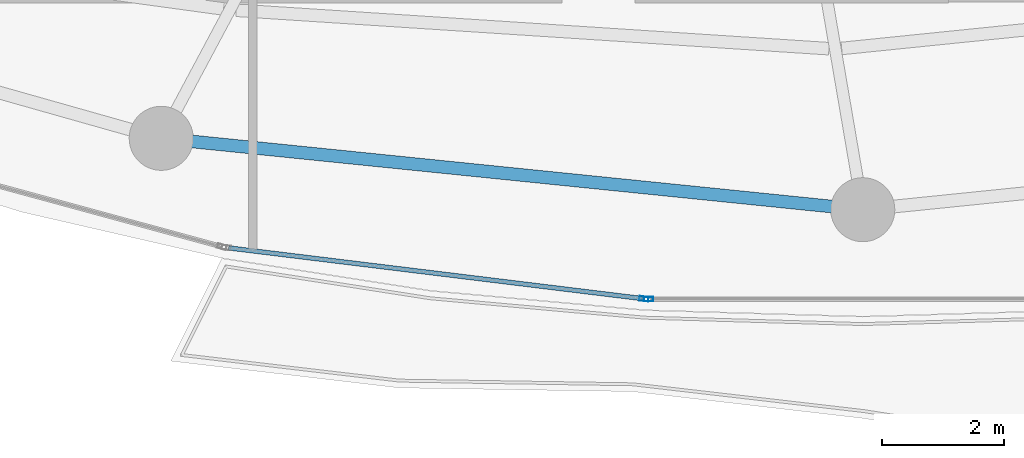
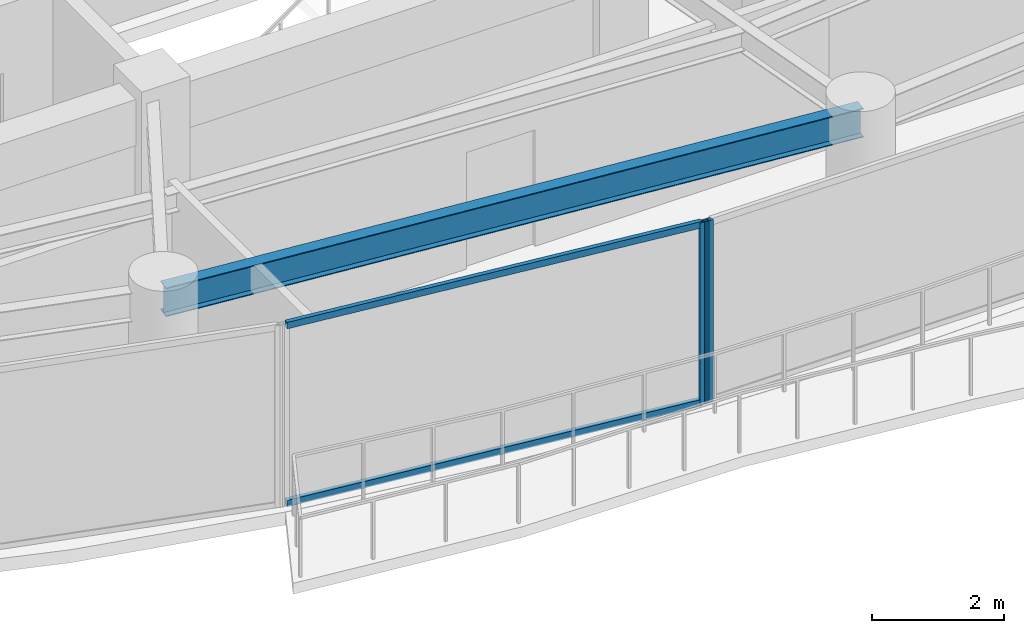
# One storey, part 6 of 31: 4 members, 1 beam, 2 elements without a shape of their own.
"""IFC4 building model written with IfcOpenShell, lengths in metres."""

from ifc_helpers import new_model, si_unit, direction, frame, origin, origin_2d, place, context, subcontext, project, spatial, hollow_rectangle, i_section, extrude, material, layer, layer_set, material_profile, profile_set, type_object, element, aggregate, save


model = new_model("IFC4")

# Units and contexts
model_context = context("Model", 3, precision=1e-05, world=origin(), true_north=direction((0.0, 1.0)))
body_context = subcontext(model_context, "Body", "Model", "MODEL_VIEW")
ifc_project = project(units=[si_unit("LENGTHUNIT", "METRE"), si_unit("AREAUNIT", "SQUARE_METRE"), si_unit("VOLUMEUNIT", "CUBIC_METRE"), si_unit("PLANEANGLEUNIT", "RADIAN"), si_unit("MASSUNIT", "GRAM", prefix="KILO")], contexts=[model_context])

# Site, building, storey
site_placement = place(None, origin())
site = spatial("IfcSite", under=ifc_project, at=site_placement, CompositionType="ELEMENT")
building_placement = place(site_placement, origin())
building = spatial("IfcBuilding", under=site, at=building_placement, Name="Kazevale Care Tower and Concert Hall", CompositionType="ELEMENT")
storey_placement = place(building_placement, frame((0.0, 0.0, 217.199951171875)))
storey = spatial("IfcBuildingStorey", under=building, at=storey_placement, Name="L57", CompositionType="ELEMENT", Elevation=217.199951171875)

# Curtain wall, member
ifc_material_1 = material(Name="Aluminium 6063-T6 and Low-E Glass", Category="aluminium")
ifc_layer = layer(ifc_material_1, 0.179931640625)
ifc_layer_set = layer_set([ifc_layer], Name="Aluminium 6063-T6 and Low-E Glass")
curtain_wall_type = type_object("IfcCurtainWallType", Name="Sheltered Concave Balcony Curtain Wall CW-5", PredefinedType="NOTDEFINED", material=ifc_layer_set)
curtain_wall_1_placement = place(storey_placement, origin())
curtain_wall_1 = element("IfcCurtainWall", 1, at=curtain_wall_1_placement, inside=storey, type_object=curtain_wall_type, Name="cw:L57:f06", PredefinedType="NOTDEFINED")
ifc_material_2 = material(Name="Aluminium 6063-T6", Category="aluminium")
ifc_material_profile_1 = material_profile(ifc_material_2, hollow_rectangle(XDim=0.074951171875, YDim=0.14990234375, WallThickness=0.00390625, at=origin_2d()), Name="ALU75x150x4")
ifc_profile_set_1 = profile_set([ifc_material_profile_1], Name="Aluminium 6063-T6")
member_type_1 = type_object("IfcMemberType", Name="CW-5 Mullion ALU75x150x4", PredefinedType="MULLION", material=ifc_profile_set_1)
member_1_placement = place(storey_placement, frame((41.487548828125, 16.284912109375, 0.0), z_axis=(0.0, 0.0, 1.0), x_axis=(0.0, -1.0, 0.0)))
member_1 = element("IfcMember", 2, at=member_1_placement, type_object=member_type_1, Name="CW-5 mullion 2", PredefinedType="MULLION", context=body_context, shape_type="SweptSolid", body=[
    extrude(hollow_rectangle(XDim=0.074951171875, YDim=0.14990234375, WallThickness=0.00390625, at=origin_2d()), origin(), (0.0, 0.0, 1.0), 3.360107421875),
])
aggregate(curtain_wall_1, [member_1])

# Curtain wall, members
curtain_wall_2_placement = place(storey_placement, origin())
curtain_wall_2 = element("IfcCurtainWall", 3, at=curtain_wall_2_placement, inside=storey, type_object=curtain_wall_type, Name="cw:L57:f07", PredefinedType="NOTDEFINED")
member_2_placement = place(storey_placement, frame((41.412841796875, 16.28955078125, 0.0), z_axis=(0.0, 0.0, 1.0), x_axis=(-0.121650797964, -0.992572961225, 0.0)))
member_2 = element("IfcMember", 4, at=member_2_placement, type_object=member_type_1, Name="CW-5 mullion 1", PredefinedType="MULLION", context=body_context, shape_type="SweptSolid", body=[
    extrude(hollow_rectangle(XDim=0.074951171875, YDim=0.14990234375, WallThickness=0.00390625, at=origin_2d()), origin(), (0.0, 0.0, 1.0), 3.360107421875),
])
ifc_material_profile_2 = material_profile(ifc_material_2, hollow_rectangle(XDim=0.074951171875, YDim=0.1201171875, WallThickness=0.00390625, at=origin_2d()), Name="ALU75x120x4")
ifc_profile_set_2 = profile_set([ifc_material_profile_2], Name="Aluminium 6063-T6")
member_type_2 = type_object("IfcMemberType", Name="CW-5 Transom ALU75x120x4", PredefinedType="USERDEFINED", material=ifc_profile_set_2)
member_3_placement = place(storey_placement, frame((41.37548828125, 16.294189453125, 0.03759765625), z_axis=(-0.992575633306, 0.121628993941, 0.0), x_axis=(-0.121628993941, -0.992575633306, 0.0)))
member_3 = element("IfcMember", 5, at=member_3_placement, type_object=member_type_2, Name="CW-5 transom 1.1", ObjectType="TRANSOM", PredefinedType="USERDEFINED", context=body_context, shape_type="SweptSolid", body=[
    extrude(hollow_rectangle(XDim=0.074951171875, YDim=0.1201171875, WallThickness=0.00390625, at=origin_2d()), origin(), (0.0, 0.0, 1.0), 6.820556640625),
])
member_4_placement = place(storey_placement, frame((41.37548828125, 16.294189453125, 3.322509765625), z_axis=(-0.992575633306, 0.121628993941, 0.0), x_axis=(-0.121628993941, -0.992575633306, 0.0)))
member_4 = element("IfcMember", 6, at=member_4_placement, type_object=member_type_2, Name="CW-5 transom 1.2", ObjectType="TRANSOM", PredefinedType="USERDEFINED", context=body_context, shape_type="SweptSolid", body=[
    extrude(hollow_rectangle(XDim=0.074951171875, YDim=0.1201171875, WallThickness=0.00390625, at=origin_2d()), origin(), (0.0, 0.0, 1.0), 6.820556640625),
])
aggregate(curtain_wall_2, [member_2, member_3, member_4])

# Beam
ifc_material_3 = material(Name="Steel ASTM A572 Gr 50", Category="steel")
ifc_material_profile_3 = material_profile(ifc_material_3, i_section(OverallWidth=0.208984375, OverallDepth=0.532958984375, WebThickness=0.01025390625, FlangeThickness=0.015625, at=origin_2d()), Name="W530x92")
ifc_profile_set_3 = profile_set([ifc_material_profile_3], Name="Steel ASTM A572 Gr 50")
beam_type = type_object("IfcBeamType", Name="Upper Ring Beam W530x92", PredefinedType="BEAM", material=ifc_profile_set_3)
beam_placement = place(storey_placement, frame((33.5, 18.919921875, 3.093505859375), z_axis=(0.994865089307, -0.101209950492, 0.0), x_axis=(0.101209950492, 0.994865089307, 0.0)))
element("IfcBeam", 7, at=beam_placement, inside=storey, type_object=beam_type, Name="beam:L57:ring:12", PredefinedType="BEAM", context=body_context, shape_type="SweptSolid", body=[
    extrude(i_section(OverallWidth=0.208984375, OverallDepth=0.532958984375, WebThickness=0.01025390625, FlangeThickness=0.015625, at=origin_2d()), origin(), (0.0, 0.0, 1.0), 11.559326171875),
])

save(model, "model.ifc")
